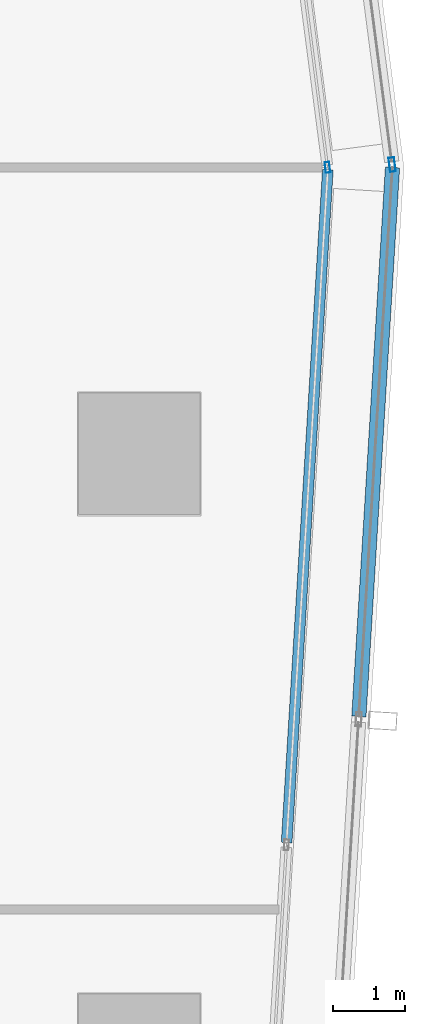
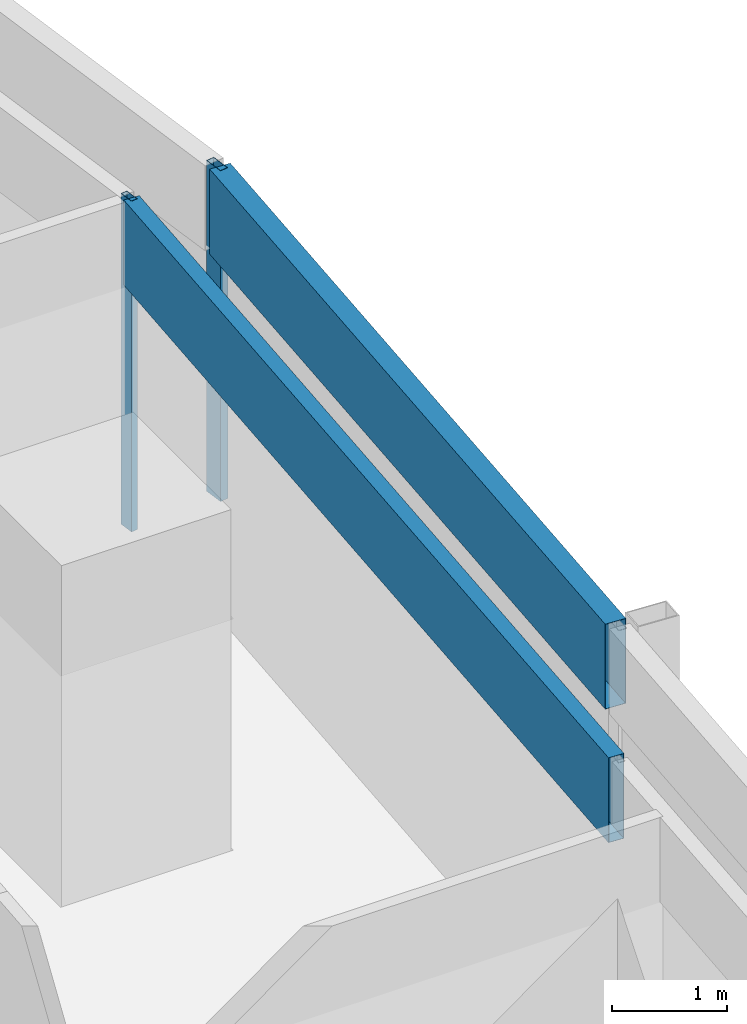
# One storey, part 25 of 40: 4 members, 4 elements without a shape of their own.
"""IFC4 building model written with IfcOpenShell, lengths in metres."""

from ifc_helpers import new_model, si_unit, direction, frame, origin, origin_2d, place, context, subcontext, project, spatial, hollow_rectangle, extrude, material, material_profile, profile_set, type_object, element, aggregate, save


model = new_model("IFC4")

# Units and contexts
model_context = context("Model", 3, precision=1e-05, world=origin(), true_north=direction((0.0, 1.0)))
body_context = subcontext(model_context, "Body", "Model", "MODEL_VIEW")
ifc_project = project(units=[si_unit("LENGTHUNIT", "METRE"), si_unit("AREAUNIT", "SQUARE_METRE"), si_unit("VOLUMEUNIT", "CUBIC_METRE"), si_unit("PLANEANGLEUNIT", "RADIAN"), si_unit("MASSUNIT", "GRAM", prefix="KILO")], contexts=[model_context])

# Site, building, storey
site_placement = place(None, origin())
site = spatial("IfcSite", under=ifc_project, at=site_placement, CompositionType="ELEMENT")
building_placement = place(site_placement, origin())
building = spatial("IfcBuilding", under=site, at=building_placement, Name="Rekha Terrace Tower", CompositionType="ELEMENT")
storey_placement = place(building_placement, frame((0.0, 0.0, 140.300048828125)))
storey = spatial("IfcBuildingStorey", under=building, at=storey_placement, Name="L35", CompositionType="ELEMENT", Elevation=140.300048828125)

# Curtain wall, member
ifc_material_1 = material(Name="Aluminium framing", Category="aluminium")
curtain_wall_type_1 = type_object("IfcCurtainWallType", Name="CW1 double skin inner glazing", PredefinedType="USERDEFINED", material=ifc_material_1)
curtain_wall_1_placement = place(storey_placement, origin())
curtain_wall_1 = element("IfcCurtainWall", 1, at=curtain_wall_1_placement, inside=storey, type_object=curtain_wall_type_1, Name="CW1 double skin inner glazing", ObjectType="DOUBLE SKIN INNER GLAZING", PredefinedType="USERDEFINED")
ifc_material_2 = material(Name="Aluminium mullion section", Category="aluminium")
ifc_material_profile_1 = material_profile(ifc_material_2, hollow_rectangle(XDim=0.06494140625, YDim=0.14990234375, WallThickness=0.00390625, at=origin_2d()), Name="AL RHS 65x150")
ifc_profile_set_1 = profile_set([ifc_material_profile_1], Name="Aluminium mullion section")
member_type_1 = type_object("IfcMemberType", Name="CW1 mullion RHS 65 x 150", PredefinedType="MULLION", material=ifc_profile_set_1)
member_1_placement = place(storey_placement, frame((69.83154296875, 46.00390625, 0.0), z_axis=(0.0, 0.0, 1.0), x_axis=(-0.991629186237, -0.129118383675, 0.0)))
member_1 = element("IfcMember", 2, at=member_1_placement, type_object=member_type_1, Name="CW1 mullion 1", PredefinedType="MULLION", context=body_context, shape_type="SweptSolid", body=[
    extrude(hollow_rectangle(XDim=0.06494140625, YDim=0.14990234375, WallThickness=0.00390625, at=origin_2d()), origin(), (0.0, 0.0, 1.0), 3.5),
])
aggregate(curtain_wall_1, [member_1])

curtain_wall_2_placement = place(storey_placement, origin())
curtain_wall_2 = element("IfcCurtainWall", 3, at=curtain_wall_2_placement, inside=storey, type_object=curtain_wall_type_1, Name="CW1 double skin inner glazing", ObjectType="DOUBLE SKIN INNER GLAZING", PredefinedType="USERDEFINED")
ifc_material_3 = material(Name="Insulated aluminium spandrel box", Category="aluminium")
ifc_material_profile_2 = material_profile(ifc_material_3, hollow_rectangle(XDim=0.14990234375, YDim=0.89990234375, WallThickness=0.0029296875, at=origin_2d()), Name="AL SPANDREL BOX 150x900")
ifc_profile_set_2 = profile_set([ifc_material_profile_2], Name="Insulated aluminium spandrel box")
member_type_2 = type_object("IfcMemberType", Name="CW1 spandrel transom 150 x 900", PredefinedType="USERDEFINED", material=ifc_profile_set_2)
member_2_placement = place(storey_placement, frame((69.259765625, 36.569091796875, 3.050048828125), z_axis=(0.061137463969, 0.998129355594, 0.0), x_axis=(-0.998129355594, 0.061137463969, 0.0)))
member_2 = element("IfcMember", 4, at=member_2_placement, type_object=member_type_2, Name="CW1 spandrel transom 3", ObjectType="TRANSOM", PredefinedType="USERDEFINED", context=body_context, shape_type="SweptSolid", body=[
    extrude(hollow_rectangle(XDim=0.14990234375, YDim=0.89990234375, WallThickness=0.0029296875, at=origin_2d()), origin(), (0.0, 0.0, 1.0), 9.420166015625),
])
aggregate(curtain_wall_2, [member_2])

curtain_wall_type_2 = type_object("IfcCurtainWallType", Name="CW2 double skin outer glazing", PredefinedType="USERDEFINED", material=ifc_material_1)
curtain_wall_3_placement = place(storey_placement, origin())
curtain_wall_3 = element("IfcCurtainWall", 5, at=curtain_wall_3_placement, inside=storey, type_object=curtain_wall_type_2, Name="CW2 double skin outer glazing", ObjectType="DOUBLE SKIN OUTER GLAZING", PredefinedType="USERDEFINED")
ifc_material_profile_3 = material_profile(ifc_material_2, hollow_rectangle(XDim=0.080078125, YDim=0.199951171875, WallThickness=0.00390625, at=origin_2d()), Name="AL RHS 80x200")
ifc_profile_set_3 = profile_set([ifc_material_profile_3], Name="Aluminium mullion section")
member_type_3 = type_object("IfcMemberType", Name="CW2 mullion RHS 80 x 200", PredefinedType="MULLION", material=ifc_profile_set_3)
member_3_placement = place(storey_placement, frame((70.734130859375, 46.042236328125, 0.0), z_axis=(0.0, 0.0, 1.0), x_axis=(-0.991629186244, -0.129118383623, 0.0)))
member_3 = element("IfcMember", 6, at=member_3_placement, type_object=member_type_3, Name="CW2 mullion 1", PredefinedType="MULLION", context=body_context, shape_type="SweptSolid", body=[
    extrude(hollow_rectangle(XDim=0.080078125, YDim=0.199951171875, WallThickness=0.00390625, at=origin_2d()), origin(), (0.0, 0.0, 1.0), 3.5),
])
aggregate(curtain_wall_3, [member_3])

curtain_wall_4_placement = place(storey_placement, origin())
curtain_wall_4 = element("IfcCurtainWall", 7, at=curtain_wall_4_placement, inside=storey, type_object=curtain_wall_type_2, Name="CW2 double skin outer glazing", ObjectType="DOUBLE SKIN OUTER GLAZING", PredefinedType="USERDEFINED")
ifc_material_profile_4 = material_profile(ifc_material_3, hollow_rectangle(XDim=0.199951171875, YDim=0.89990234375, WallThickness=0.0029296875, at=origin_2d()), Name="AL SPANDREL BOX 200x900")
ifc_profile_set_4 = profile_set([ifc_material_profile_4], Name="Insulated aluminium spandrel box")
member_type_4 = type_object("IfcMemberType", Name="CW2 spandrel transom 200 x 900", PredefinedType="USERDEFINED", material=ifc_profile_set_4)
member_4_placement = place(storey_placement, frame((70.269287109375, 38.330322265625, 3.050048828125), z_axis=(0.061142352683, 0.998129056139, 0.0), x_axis=(-0.998129056139, 0.061142352683, 0.0)))
member_4 = element("IfcMember", 8, at=member_4_placement, type_object=member_type_4, Name="CW2 spandrel transom 4", ObjectType="TRANSOM", PredefinedType="USERDEFINED", context=body_context, shape_type="SweptSolid", body=[
    extrude(hollow_rectangle(XDim=0.199951171875, YDim=0.89990234375, WallThickness=0.0029296875, at=origin_2d()), origin(), (0.0, 0.0, 1.0), 7.6865234375),
])
aggregate(curtain_wall_4, [member_4])

save(model, "model.ifc")
